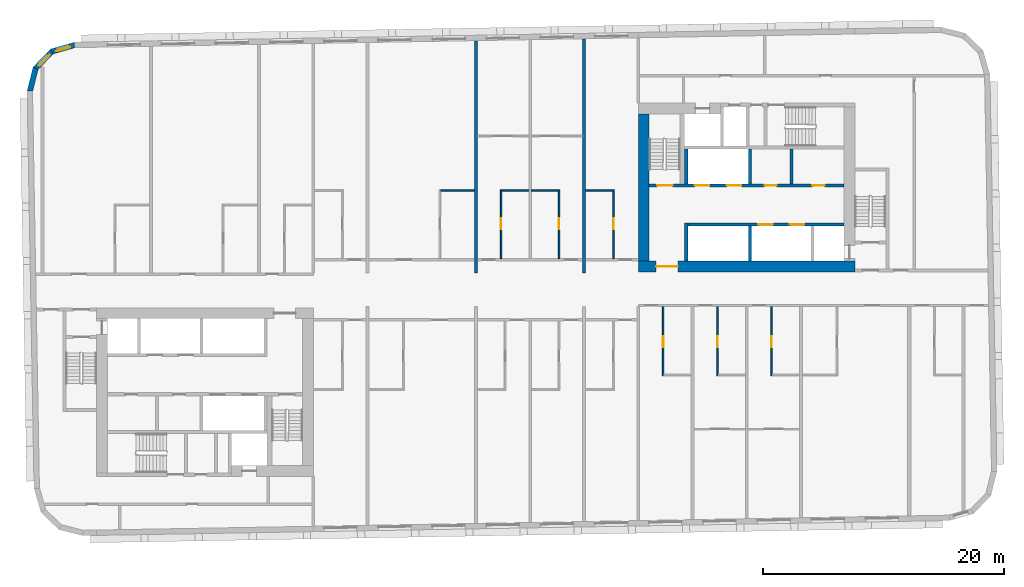
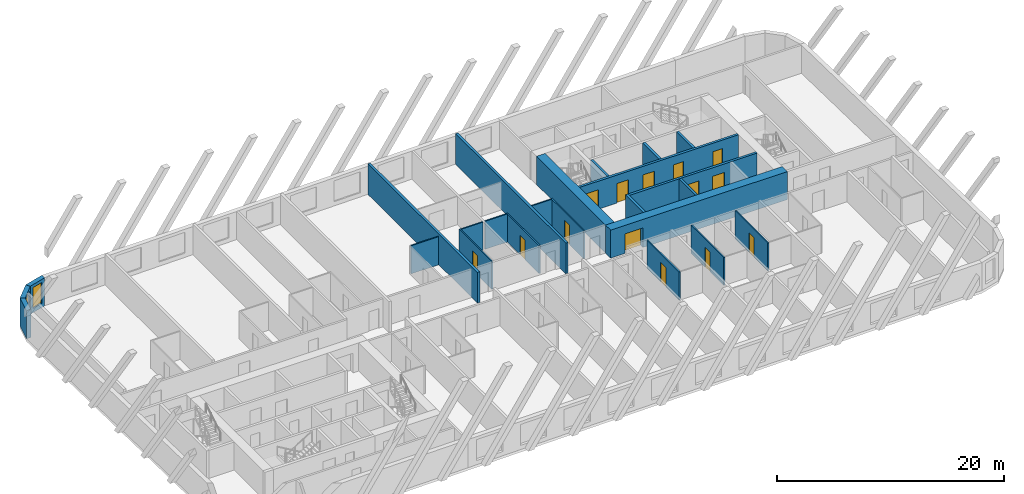
# One storey, part 5 of 12: 24 walls, 14 doors, 2 windows, 16 openings.
"""IFC4 building model written with IfcOpenShell, lengths in metres."""

from ifc_helpers import new_model, si_unit, direction, frame, frame_2d, origin, place, context, subcontext, project, spatial, polyline, rectangle, outline, extrude, material, layer, layer_set, type_object, element, fill, save


model = new_model("IFC4")

# Units and contexts
model_context = context("Model", 3, precision=1e-05, world=origin(), true_north=direction((0.0, 1.0)))
body_context = subcontext(model_context, "Body", "Model", "MODEL_VIEW")
ifc_project = project(units=[si_unit("LENGTHUNIT", "METRE"), si_unit("AREAUNIT", "SQUARE_METRE"), si_unit("VOLUMEUNIT", "CUBIC_METRE"), si_unit("PLANEANGLEUNIT", "RADIAN"), si_unit("MASSUNIT", "GRAM", prefix="KILO")], contexts=[model_context])

# Site, building, storey
site_placement = place(None, origin())
site = spatial("IfcSite", under=ifc_project, at=site_placement, CompositionType="ELEMENT")
building_placement = place(site_placement, origin())
building = spatial("IfcBuilding", under=site, at=building_placement, Name="Kajstack Hotel Tower", CompositionType="ELEMENT")
storey_placement = place(building_placement, frame((0.0, 0.0, 227.60009765625)))
storey = spatial("IfcBuildingStorey", under=building, at=storey_placement, Name="L55", CompositionType="ELEMENT", Elevation=227.60009765625)

# Wall, opening, door
ifc_material_1 = material(Name="Concrete C60/75", Category="concrete")
ifc_layer_1 = layer(ifc_material_1, 0.89990234375)
ifc_layer_set_1 = layer_set([ifc_layer_1], Name="Core wall 900")
wall_type_1 = type_object("IfcWallType", Name="Core wall 900", PredefinedType="SHEAR", material=ifc_layer_set_1)
wall_1_placement = place(storey_placement, frame((13.5, 1.949951171875, 0.0), z_axis=(0.0, 0.0, 1.0), x_axis=(1.0, 0.0, 0.0)))
wall_1 = element("IfcWall", 1, at=wall_1_placement, inside=storey, type_object=wall_type_1, Name="Core wall E RN", PredefinedType="SHEAR", context=body_context, shape_type="SweptSolid", body=[
    extrude(rectangle(XDim=18.0, YDim=0.89990234375, at=frame_2d((9.0, 0.0))), origin(), (0.0, 0.0, 1.0), 3.02001953125),
])
opening_1_placement = place(wall_1_placement, frame((1.47509765625, 0.0, 0.0)))
opening_1 = element("IfcOpeningElement", 2, at=opening_1_placement, cuts=wall_1, Name="Opening 55E07", PredefinedType="OPENING", context=body_context, shape_type="SweptSolid", body=[
    extrude(rectangle(XDim=1.800048828125, YDim=2.10009765625, at=frame_2d((0.89990234375, 1.050048828125))), frame((0.0, 0.4599609375, 0.0), z_axis=(0.0, -1.0, 0.0), x_axis=(1.0, 0.0, 0.0)), (0.0, 0.0, 1.0), 0.919921875),
])
ifc_material_2 = material(Name="Glazed steel frame, fire-rated glass", Category="steel")
door_type_1 = type_object("IfcDoorType", Name="Lobby double door 1800", OperationType="DOUBLE_DOOR_DOUBLE_SWING", PredefinedType="DOOR", material=ifc_material_2)
door_1_placement = place(opening_1_placement, origin())
door_1 = element("IfcDoor", 3, at=door_1_placement, inside=storey, type_object=door_type_1, Name="Door 55E07", OperationType="DOUBLE_DOOR_DOUBLE_SWING", OverallHeight=2.10009765625, OverallWidth=1.800048828125, PredefinedType="DOOR", context=body_context, shape_type="SweptSolid", body=[
    extrude(rectangle(XDim=1.800048828125, YDim=2.10009765625, at=frame_2d((0.89990234375, 1.050048828125))), frame((0.0, 0.02490234375, 0.0), z_axis=(0.0, -1.0, 0.0), x_axis=(1.0, 0.0, 0.0)), (0.0, 0.0, 1.0), 0.050048828125),
])
fill(opening_1, door_1)

# Wall
wall_2_placement = place(storey_placement, frame((13.949951171875, 2.39990234375, 0.0), z_axis=(0.0, 0.0, 1.0), x_axis=(0.0, 1.0, 0.0)))
element("IfcWall", 4, at=wall_2_placement, inside=storey, type_object=wall_type_1, Name="Core wall E RE", PredefinedType="SHEAR", context=body_context, shape_type="SweptSolid", body=[
    extrude(rectangle(XDim=12.2001953125, YDim=0.89990234375, at=frame_2d((6.10009765625, 0.0))), origin(), (0.0, 0.0, 1.0), 3.02001953125),
])

# Wall, opening, window
ifc_material_3 = material(Name="Terracotta-faced brick masonry", Category="masonry")
ifc_layer_2 = layer(ifc_material_3, 0.449951171875)
ifc_layer_set_2 = layer_set([ifc_layer_2], Name="EW-TERRA")
wall_type_2 = type_object("IfcWallType", Name="EW-TERRA", PredefinedType="SOLIDWALL", material=ifc_layer_set_2)
wall_3_placement = place(storey_placement, frame((-33.290283203125, 20.352294921875, 0.0), z_axis=(0.0, 0.0, 1.0), x_axis=(-0.961247584925, -0.275686562016, 0.0)))
wall_3 = element("IfcWall", 5, at=wall_3_placement, inside=storey, type_object=wall_type_2, Name="E-wall-L55-13-00", PredefinedType="SOLIDWALL", context=body_context, shape_type="SweptSolid", body=[
    extrude(outline(polyline([(0.0, -0.22509765625), (2.070556640625, -0.22509765625), (1.949951171875, 0.224853515625), (0.12060546875, 0.224853515625), (0.0, -0.22509765625)])), origin(), (0.0, 0.0, 1.0), 3.02001953125),
])
opening_2_placement = place(wall_3_placement, frame((0.435302734375, 0.0, 0.449951171875)))
opening_2 = element("IfcOpeningElement", 6, at=opening_2_placement, cuts=wall_3, Name="Opening W3", PredefinedType="OPENING", context=body_context, shape_type="SweptSolid", body=[
    extrude(rectangle(XDim=1.199951171875, YDim=2.25, at=frame_2d((0.60009765625, 1.125))), frame((0.0, 0.23486328125, 0.0), z_axis=(0.0, -1.0, 0.0), x_axis=(1.0, 0.0, 0.0)), (0.0, 0.0, 1.0), 0.469970703125),
])
ifc_material_4 = material(Name="Timber-aluminium window, triple glazed", Category="wood")
window_type = type_object("IfcWindowType", Name="WG3", PartitioningType="SINGLE_PANEL", PredefinedType="WINDOW", material=ifc_material_4)
window_1_placement = place(opening_2_placement, origin())
window_1 = element("IfcWindow", 7, at=window_1_placement, inside=storey, type_object=window_type, Name="Window W3 L55-13", OverallHeight=2.25, OverallWidth=1.199951171875, PartitioningType="SINGLE_PANEL", PredefinedType="WINDOW", context=body_context, shape_type="SweptSolid", body=[
    extrude(rectangle(XDim=1.199951171875, YDim=2.25, at=frame_2d((0.60009765625, 1.125))), frame((0.0, 0.090087890625, 0.0), z_axis=(0.0, -1.0, 0.0), x_axis=(1.0, 0.0, 0.0)), (0.0, 0.0, 1.0), 0.06005859375),
])
fill(opening_2, window_1)

wall_4_placement = place(storey_placement, frame((-35.1806640625, 19.841552734375, 0.0), z_axis=(0.0, 0.0, 1.0), x_axis=(-0.694678672846, -0.719320193998, 0.0)))
wall_4 = element("IfcWall", 8, at=wall_4_placement, inside=storey, type_object=wall_type_2, Name="E-wall-L55-14-00", PredefinedType="SOLIDWALL", context=body_context, shape_type="SweptSolid", body=[
    extrude(outline(polyline([(0.0, -0.22509765625), (2.07080078125, -0.22509765625), (1.9501953125, 0.224853515625), (0.12060546875, 0.224853515625), (0.0, -0.22509765625)])), origin(), (0.0, 0.0, 1.0), 3.02001953125),
])
opening_3_placement = place(wall_4_placement, frame((0.435302734375, 0.0, 0.449951171875)))
opening_3 = element("IfcOpeningElement", 9, at=opening_3_placement, cuts=wall_4, Name="Opening W3", PredefinedType="OPENING", context=body_context, shape_type="SweptSolid", body=[
    extrude(rectangle(XDim=1.199951171875, YDim=2.25, at=frame_2d((0.60009765625, 1.125))), frame((0.0, 0.23486328125, 0.0), z_axis=(0.0, -1.0, 0.0), x_axis=(1.0, 0.0, 0.0)), (0.0, 0.0, 1.0), 0.469970703125),
])
window_2_placement = place(opening_3_placement, origin())
window_2 = element("IfcWindow", 10, at=window_2_placement, inside=storey, type_object=window_type, Name="Window W3 L55-14", OverallHeight=2.25, OverallWidth=1.199951171875, PartitioningType="SINGLE_PANEL", PredefinedType="WINDOW", context=body_context, shape_type="SweptSolid", body=[
    extrude(rectangle(XDim=1.199951171875, YDim=2.25, at=frame_2d((0.60009765625, 1.125))), frame((0.0, 0.090087890625, 0.0), z_axis=(0.0, -1.0, 0.0), x_axis=(1.0, 0.0, 0.0)), (0.0, 0.0, 1.0), 0.06005859375),
])
fill(opening_3, window_2)

# Walls
wall_5_placement = place(storey_placement, frame((-36.562744140625, 18.453857421875, 0.0), z_axis=(0.0, 0.0, 1.0), x_axis=(-0.241869623482, -0.970308757683, 0.0)))
element("IfcWall", 11, at=wall_5_placement, inside=storey, type_object=wall_type_2, Name="E-wall-L55-15-00", PredefinedType="SOLIDWALL", context=body_context, shape_type="SweptSolid", body=[
    extrude(outline(polyline([(-0.000244140625, -0.224853515625), (2.0703125, -0.22509765625), (1.94970703125, 0.224853515625), (0.120361328125, 0.22509765625), (-0.000244140625, -0.224853515625)])), origin(), (0.0, 0.0, 1.0), 3.02001953125),
])
ifc_material_5 = material(Name="Gypsum board and tiled backer on steel studs", Category="steel")
ifc_layer_3 = layer(ifc_material_5, 0.125)
ifc_layer_set_3 = layer_set([ifc_layer_3], Name="En-suite wall 125")
wall_type_3 = type_object("IfcWallType", Name="En-suite wall 125", PredefinedType="PARTITIONING", material=ifc_layer_set_3)
wall_6_placement = place(storey_placement, frame((-2.925048828125, 8.261962890625, 0.0), z_axis=(0.0, 0.0, 1.0), x_axis=(1.0, 0.0, 0.0)))
element("IfcWall", 12, at=wall_6_placement, inside=storey, type_object=wall_type_3, Name="G-wall-L55-015", PredefinedType="PARTITIONING", context=body_context, shape_type="SweptSolid", body=[
    extrude(rectangle(XDim=2.800048828125, YDim=0.125, at=frame_2d((1.39990234375, 0.0))), origin(), (0.0, 0.0, 1.0), 3.02001953125),
])

# Wall, opening, door
wall_7_placement = place(storey_placement, frame((2.0869140625, 2.60009765625, 0.0), z_axis=(0.0, 0.0, 1.0), x_axis=(0.0, 1.0, 0.0)))
wall_7 = element("IfcWall", 13, at=wall_7_placement, inside=storey, type_object=wall_type_3, Name="G-wall-L55-017", PredefinedType="PARTITIONING", context=body_context, shape_type="SweptSolid", body=[
    extrude(rectangle(XDim=5.724853515625, YDim=0.125, at=frame_2d((2.8623046875, 0.0))), origin(), (0.0, 0.0, 1.0), 3.02001953125),
])
opening_4_placement = place(wall_7_placement, frame((2.449951171875, 0.0, 0.0)))
opening_4 = element("IfcOpeningElement", 14, at=opening_4_placement, cuts=wall_7, Name="Opening 55012", PredefinedType="OPENING", context=body_context, shape_type="SweptSolid", body=[
    extrude(rectangle(XDim=0.89990234375, YDim=2.10009765625, at=frame_2d((0.449951171875, 1.050048828125))), frame((0.0, 0.072509765625, 0.0), z_axis=(0.0, -1.0, 0.0), x_axis=(1.0, 0.0, 0.0)), (0.0, 0.0, 1.0), 0.14501953125),
])
ifc_material_6 = material(Name="Painted timber door leaf", Category="wood")
door_type_2 = type_object("IfcDoorType", Name="Room door 900", OperationType="SINGLE_SWING_LEFT", PredefinedType="DOOR", material=ifc_material_6)
door_2_placement = place(opening_4_placement, origin())
door_2 = element("IfcDoor", 15, at=door_2_placement, inside=storey, type_object=door_type_2, Name="G-door-L55-12", OperationType="SINGLE_SWING_RIGHT", OverallHeight=2.10009765625, OverallWidth=0.89990234375, PredefinedType="DOOR", context=body_context, shape_type="SweptSolid", body=[
    extrude(rectangle(XDim=0.89990234375, YDim=2.10009765625, at=frame_2d((0.449951171875, 1.050048828125))), frame((0.0, 0.02490234375, 0.0), z_axis=(0.0, -1.0, 0.0), x_axis=(1.0, 0.0, 0.0)), (0.0, 0.0, 1.0), 0.050048828125),
])
fill(opening_4, door_2)

# Wall
wall_8_placement = place(storey_placement, frame((2.14990234375, 8.261962890625, 0.0), z_axis=(0.0, 0.0, 1.0), x_axis=(1.0, 0.0, 0.0)))
element("IfcWall", 16, at=wall_8_placement, inside=storey, type_object=wall_type_3, Name="G-wall-L55-018", PredefinedType="PARTITIONING", context=body_context, shape_type="SweptSolid", body=[
    extrude(rectangle(XDim=2.25, YDim=0.125, at=frame_2d((1.125, 0.0))), origin(), (0.0, 0.0, 1.0), 3.02001953125),
])

# Wall, opening, door
wall_9_placement = place(storey_placement, frame((6.912109375, 2.60009765625, 0.0), z_axis=(0.0, 0.0, 1.0), x_axis=(0.0, 1.0, 0.0)))
wall_9 = element("IfcWall", 17, at=wall_9_placement, inside=storey, type_object=wall_type_3, Name="G-wall-L55-020", PredefinedType="PARTITIONING", context=body_context, shape_type="SweptSolid", body=[
    extrude(rectangle(XDim=5.724853515625, YDim=0.125, at=frame_2d((2.8623046875, 0.0))), origin(), (0.0, 0.0, 1.0), 3.02001953125),
])
opening_5_placement = place(wall_9_placement, frame((2.449951171875, 0.0, 0.0)))
opening_5 = element("IfcOpeningElement", 18, at=opening_5_placement, cuts=wall_9, Name="Opening 55015", PredefinedType="OPENING", context=body_context, shape_type="SweptSolid", body=[
    extrude(rectangle(XDim=0.89990234375, YDim=2.10009765625, at=frame_2d((0.449951171875, 1.050048828125))), frame((0.0, 0.072509765625, 0.0), z_axis=(0.0, -1.0, 0.0), x_axis=(1.0, 0.0, 0.0)), (0.0, 0.0, 1.0), 0.14501953125),
])
door_3_placement = place(opening_5_placement, origin())
door_3 = element("IfcDoor", 19, at=door_3_placement, inside=storey, type_object=door_type_2, Name="G-door-L55-15", OperationType="SINGLE_SWING_RIGHT", OverallHeight=2.10009765625, OverallWidth=0.89990234375, PredefinedType="DOOR", context=body_context, shape_type="SweptSolid", body=[
    extrude(rectangle(XDim=0.89990234375, YDim=2.10009765625, at=frame_2d((0.449951171875, 1.050048828125))), frame((0.0, 0.02490234375, 0.0), z_axis=(0.0, -1.0, 0.0), x_axis=(1.0, 0.0, 0.0)), (0.0, 0.0, 1.0), 0.050048828125),
])
fill(opening_5, door_3)

# Wall
wall_10_placement = place(storey_placement, frame((4.60009765625, 8.261962890625, 0.0), z_axis=(0.0, 0.0, 1.0), x_axis=(1.0, 0.0, 0.0)))
element("IfcWall", 20, at=wall_10_placement, inside=storey, type_object=wall_type_3, Name="G-wall-L55-021", PredefinedType="PARTITIONING", context=body_context, shape_type="SweptSolid", body=[
    extrude(rectangle(XDim=2.25, YDim=0.125, at=frame_2d((1.125, 0.0))), origin(), (0.0, 0.0, 1.0), 3.02001953125),
])

# Wall, opening, door
wall_11_placement = place(storey_placement, frame((11.43798828125, 2.60009765625, 0.0), z_axis=(0.0, 0.0, 1.0), x_axis=(0.0, 1.0, 0.0)))
wall_11 = element("IfcWall", 21, at=wall_11_placement, inside=storey, type_object=wall_type_3, Name="G-wall-L55-023", PredefinedType="PARTITIONING", context=body_context, shape_type="SweptSolid", body=[
    extrude(rectangle(XDim=5.724853515625, YDim=0.125, at=frame_2d((2.8623046875, 0.0))), origin(), (0.0, 0.0, 1.0), 3.02001953125),
])
opening_6_placement = place(wall_11_placement, frame((2.449951171875, 0.0, 0.0)))
opening_6 = element("IfcOpeningElement", 22, at=opening_6_placement, cuts=wall_11, Name="Opening 55018", PredefinedType="OPENING", context=body_context, shape_type="SweptSolid", body=[
    extrude(rectangle(XDim=0.89990234375, YDim=2.10009765625, at=frame_2d((0.449951171875, 1.050048828125))), frame((0.0, 0.072509765625, 0.0), z_axis=(0.0, -1.0, 0.0), x_axis=(1.0, 0.0, 0.0)), (0.0, 0.0, 1.0), 0.14501953125),
])
door_4_placement = place(opening_6_placement, origin())
door_4 = element("IfcDoor", 23, at=door_4_placement, inside=storey, type_object=door_type_2, Name="G-door-L55-18", OperationType="SINGLE_SWING_LEFT", OverallHeight=2.10009765625, OverallWidth=0.89990234375, PredefinedType="DOOR", context=body_context, shape_type="SweptSolid", body=[
    extrude(rectangle(XDim=0.89990234375, YDim=2.10009765625, at=frame_2d((0.449951171875, 1.050048828125))), frame((0.0, 0.02490234375, 0.0), z_axis=(0.0, -1.0, 0.0), x_axis=(1.0, 0.0, 0.0)), (0.0, 0.0, 1.0), 0.050048828125),
])
fill(opening_6, door_4)

# Wall
wall_12_placement = place(storey_placement, frame((9.125, 8.261962890625, 0.0), z_axis=(0.0, 0.0, 1.0), x_axis=(1.0, 0.0, 0.0)))
element("IfcWall", 24, at=wall_12_placement, inside=storey, type_object=wall_type_3, Name="G-wall-L55-024", PredefinedType="PARTITIONING", context=body_context, shape_type="SweptSolid", body=[
    extrude(rectangle(XDim=2.25, YDim=0.125, at=frame_2d((1.125, 0.0))), origin(), (0.0, 0.0, 1.0), 3.02001953125),
])

# Wall, opening, door
wall_13_placement = place(storey_placement, frame((15.56201171875, -7.125, 0.0), z_axis=(0.0, 0.0, 1.0), x_axis=(0.0, 1.0, 0.0)))
wall_13 = element("IfcWall", 25, at=wall_13_placement, inside=storey, type_object=wall_type_3, Name="G-wall-L55-039", PredefinedType="PARTITIONING", context=body_context, shape_type="SweptSolid", body=[
    extrude(rectangle(XDim=5.72509765625, YDim=0.125, at=frame_2d((2.862548828125, 0.0))), origin(), (0.0, 0.0, 1.0), 3.02001953125),
])
opening_7_placement = place(wall_13_placement, frame((2.375, 0.0, 0.0)))
opening_7 = element("IfcOpeningElement", 26, at=opening_7_placement, cuts=wall_13, Name="Opening 55030", PredefinedType="OPENING", context=body_context, shape_type="SweptSolid", body=[
    extrude(rectangle(XDim=0.89990234375, YDim=2.10009765625, at=frame_2d((0.449951171875, 1.050048828125))), frame((0.0, 0.072509765625, 0.0), z_axis=(0.0, -1.0, 0.0), x_axis=(1.0, 0.0, 0.0)), (0.0, 0.0, 1.0), 0.14501953125),
])
door_5_placement = place(opening_7_placement, origin())
door_5 = element("IfcDoor", 27, at=door_5_placement, inside=storey, type_object=door_type_2, Name="G-door-L55-30", OperationType="SINGLE_SWING_RIGHT", OverallHeight=2.10009765625, OverallWidth=0.89990234375, PredefinedType="DOOR", context=body_context, shape_type="SweptSolid", body=[
    extrude(rectangle(XDim=0.89990234375, YDim=2.10009765625, at=frame_2d((0.449951171875, 1.050048828125))), frame((0.0, 0.02490234375, 0.0), z_axis=(0.0, -1.0, 0.0), x_axis=(1.0, 0.0, 0.0)), (0.0, 0.0, 1.0), 0.050048828125),
])
fill(opening_7, door_5)

wall_14_placement = place(storey_placement, frame((20.0869140625, -7.125, 0.0), z_axis=(0.0, 0.0, 1.0), x_axis=(0.0, 1.0, 0.0)))
wall_14 = element("IfcWall", 28, at=wall_14_placement, inside=storey, type_object=wall_type_3, Name="G-wall-L55-042", PredefinedType="PARTITIONING", context=body_context, shape_type="SweptSolid", body=[
    extrude(rectangle(XDim=5.72509765625, YDim=0.125, at=frame_2d((2.862548828125, 0.0))), origin(), (0.0, 0.0, 1.0), 3.02001953125),
])
opening_8_placement = place(wall_14_placement, frame((2.375, 0.0, 0.0)))
opening_8 = element("IfcOpeningElement", 29, at=opening_8_placement, cuts=wall_14, Name="Opening 55032", PredefinedType="OPENING", context=body_context, shape_type="SweptSolid", body=[
    extrude(rectangle(XDim=0.89990234375, YDim=2.10009765625, at=frame_2d((0.449951171875, 1.050048828125))), frame((0.0, 0.072509765625, 0.0), z_axis=(0.0, -1.0, 0.0), x_axis=(1.0, 0.0, 0.0)), (0.0, 0.0, 1.0), 0.14501953125),
])
door_6_placement = place(opening_8_placement, origin())
door_6 = element("IfcDoor", 30, at=door_6_placement, inside=storey, type_object=door_type_2, Name="G-door-L55-32", OperationType="SINGLE_SWING_RIGHT", OverallHeight=2.10009765625, OverallWidth=0.89990234375, PredefinedType="DOOR", context=body_context, shape_type="SweptSolid", body=[
    extrude(rectangle(XDim=0.89990234375, YDim=2.10009765625, at=frame_2d((0.449951171875, 1.050048828125))), frame((0.0, 0.02490234375, 0.0), z_axis=(0.0, -1.0, 0.0), x_axis=(1.0, 0.0, 0.0)), (0.0, 0.0, 1.0), 0.050048828125),
])
fill(opening_8, door_6)

wall_15_placement = place(storey_placement, frame((24.56201171875, -7.125, 0.0), z_axis=(0.0, 0.0, 1.0), x_axis=(0.0, 1.0, 0.0)))
wall_15 = element("IfcWall", 31, at=wall_15_placement, inside=storey, type_object=wall_type_3, Name="G-wall-L55-045", PredefinedType="PARTITIONING", context=body_context, shape_type="SweptSolid", body=[
    extrude(rectangle(XDim=5.72509765625, YDim=0.125, at=frame_2d((2.862548828125, 0.0))), origin(), (0.0, 0.0, 1.0), 3.02001953125),
])
opening_9_placement = place(wall_15_placement, frame((2.375, 0.0, 0.0)))
opening_9 = element("IfcOpeningElement", 32, at=opening_9_placement, cuts=wall_15, Name="Opening 55035", PredefinedType="OPENING", context=body_context, shape_type="SweptSolid", body=[
    extrude(rectangle(XDim=0.89990234375, YDim=2.10009765625, at=frame_2d((0.449951171875, 1.050048828125))), frame((0.0, 0.072509765625, 0.0), z_axis=(0.0, -1.0, 0.0), x_axis=(1.0, 0.0, 0.0)), (0.0, 0.0, 1.0), 0.14501953125),
])
door_7_placement = place(opening_9_placement, origin())
door_7 = element("IfcDoor", 33, at=door_7_placement, inside=storey, type_object=door_type_2, Name="G-door-L55-35", OperationType="SINGLE_SWING_LEFT", OverallHeight=2.10009765625, OverallWidth=0.89990234375, PredefinedType="DOOR", context=body_context, shape_type="SweptSolid", body=[
    extrude(rectangle(XDim=0.89990234375, YDim=2.10009765625, at=frame_2d((0.449951171875, 1.050048828125))), frame((0.0, 0.02490234375, 0.0), z_axis=(0.0, -1.0, 0.0), x_axis=(1.0, 0.0, 0.0)), (0.0, 0.0, 1.0), 0.050048828125),
])
fill(opening_9, door_7)

# Walls
ifc_material_7 = material(Name="Concrete C50/60", Category="concrete")
ifc_layer_4 = layer(ifc_material_7, 0.300048828125)
ifc_layer_set_4 = layer_set([ifc_layer_4], Name="Hoistway divider wall 300")
wall_type_4 = type_object("IfcWallType", Name="Hoistway divider wall 300", PredefinedType="SHEAR", material=ifc_layer_set_4)
wall_16_placement = place(storey_placement, frame((22.77490234375, 2.39990234375, 0.0), z_axis=(0.0, 0.0, 1.0), x_axis=(0.0, 1.0, 0.0)))
element("IfcWall", 34, at=wall_16_placement, inside=storey, type_object=wall_type_4, Name="Core wall E AP2", PredefinedType="SHEAR", context=body_context, shape_type="SweptSolid", body=[
    extrude(rectangle(XDim=2.900146484375, YDim=0.25, at=frame_2d((1.4501953125, 0.0))), origin(), (0.0, 0.0, 1.0), 3.02001953125),
])
wall_17_placement = place(storey_placement, frame((22.77490234375, 8.800048828125, 0.0), z_axis=(0.0, 0.0, 1.0), x_axis=(0.0, 1.0, 0.0)))
element("IfcWall", 35, at=wall_17_placement, inside=storey, type_object=wall_type_4, Name="Core wall E BP2", PredefinedType="SHEAR", context=body_context, shape_type="SweptSolid", body=[
    extrude(rectangle(XDim=2.89990234375, YDim=0.25, at=frame_2d((1.449951171875, 0.0))), origin(), (0.0, 0.0, 1.0), 3.02001953125),
])
ifc_material_8 = material(Name="Concrete C45/55", Category="concrete")
ifc_layer_5 = layer(ifc_material_8, 0.25)
ifc_layer_set_5 = layer_set([ifc_layer_5], Name="RC cross wall 250 C45/55")
wall_type_5 = type_object("IfcWallType", Name="RC cross wall 250 C45/55", PredefinedType="SHEAR", material=ifc_layer_set_5)
wall_18_placement = place(storey_placement, frame((0.0, 1.39990234375, 0.0), z_axis=(0.0, 0.0, 1.0), x_axis=(0.0, 1.0, 0.0)))
element("IfcWall", 36, at=wall_18_placement, inside=storey, type_object=wall_type_5, Name="S-wall-L55-07", PredefinedType="SHEAR", context=body_context, shape_type="SweptSolid", body=[
    extrude(rectangle(XDim=19.28857421875, YDim=0.25, at=frame_2d((9.644287109375, 0.0))), origin(), (0.0, 0.0, 1.0), 3.2998046875),
])
wall_19_placement = place(storey_placement, frame((9.0, 1.39990234375, 0.0), z_axis=(0.0, 0.0, 1.0), x_axis=(0.0, 1.0, 0.0)))
element("IfcWall", 37, at=wall_19_placement, inside=storey, type_object=wall_type_5, Name="S-wall-L55-09", PredefinedType="SHEAR", context=body_context, shape_type="SweptSolid", body=[
    extrude(rectangle(XDim=19.44580078125, YDim=0.25, at=frame_2d((9.722900390625, 0.0))), origin(), (0.0, 0.0, 1.0), 3.2998046875),
])
ifc_material_9 = material(Name="Concrete block masonry", Category="masonry")
ifc_layer_6 = layer(ifc_material_9, 0.25)
ifc_layer_set_6 = layer_set([ifc_layer_6], Name="Riser partition 250")
wall_type_6 = type_object("IfcWallType", Name="Riser partition 250", PredefinedType="PARTITIONING", material=ifc_layer_set_6)
wall_20_placement = place(storey_placement, frame((26.199951171875, 8.800048828125, 0.0), z_axis=(0.0, 0.0, 1.0), x_axis=(0.0, 1.0, 0.0)))
element("IfcWall", 38, at=wall_20_placement, inside=storey, type_object=wall_type_6, Name="Partition E BF0", PredefinedType="PARTITIONING", context=body_context, shape_type="SweptSolid", body=[
    extrude(rectangle(XDim=2.89990234375, YDim=0.25, at=frame_2d((1.449951171875, 0.0))), origin(), (0.0, 0.0, 1.0), 3.02001953125),
])

# Wall, openings, doors
ifc_layer_7 = layer(ifc_material_7, 0.25)
ifc_layer_set_7 = layer_set([ifc_layer_7], Name="Shaft wall 250")
wall_type_7 = type_object("IfcWallType", Name="Shaft wall 250", PredefinedType="SHEAR", material=ifc_layer_set_7)
wall_21_placement = place(storey_placement, frame((17.60009765625, 5.425048828125, 0.0), z_axis=(0.0, 0.0, 1.0), x_axis=(1.0, 0.0, 0.0)))
wall_21 = element("IfcWall", 39, at=wall_21_placement, inside=storey, type_object=wall_type_7, Name="Core wall E FA", PredefinedType="SHEAR", context=body_context, shape_type="SweptSolid", body=[
    extrude(rectangle(XDim=13.0, YDim=0.25, at=frame_2d((6.5, 0.0))), origin(), (0.0, 0.0, 1.0), 3.02001953125),
])
opening_10_placement = place(wall_21_placement, frame((8.47509765625, 0.0, 0.0)))
opening_10 = element("IfcOpeningElement", 40, at=opening_10_placement, cuts=wall_21, Name="Opening LD-MR7", PredefinedType="OPENING", context=body_context, shape_type="SweptSolid", body=[
    extrude(rectangle(XDim=1.199951171875, YDim=2.10009765625, at=frame_2d((0.60009765625, 1.050048828125))), frame((0.0, 0.135009765625, 0.0), z_axis=(0.0, -1.0, 0.0), x_axis=(1.0, 0.0, 0.0)), (0.0, 0.0, 1.0), 0.27001953125),
])
opening_11_placement = place(wall_21_placement, frame((5.875, 0.0, 0.0)))
opening_11 = element("IfcOpeningElement", 41, at=opening_11_placement, cuts=wall_21, Name="Opening LD-MR8", PredefinedType="OPENING", context=body_context, shape_type="SweptSolid", body=[
    extrude(rectangle(XDim=1.199951171875, YDim=2.10009765625, at=frame_2d((0.60009765625, 1.050048828125))), frame((0.0, 0.135009765625, 0.0), z_axis=(0.0, -1.0, 0.0), x_axis=(1.0, 0.0, 0.0)), (0.0, 0.0, 1.0), 0.27001953125),
])
ifc_material_10 = material(Name="Stainless steel", Category="steel")
door_type_3 = type_object("IfcDoorType", Name="Lift landing door 1200", OperationType="SLIDING_TO_LEFT", PredefinedType="DOOR", material=ifc_material_10)
door_8_placement = place(opening_10_placement, origin())
door_8 = element("IfcDoor", 42, at=door_8_placement, inside=storey, type_object=door_type_3, Name="Landing door MR7", OperationType="SLIDING_TO_LEFT", OverallHeight=2.10009765625, OverallWidth=1.199951171875, PredefinedType="DOOR", context=body_context, shape_type="SweptSolid", body=[
    extrude(rectangle(XDim=1.199951171875, YDim=2.10009765625, at=frame_2d((0.60009765625, 1.050048828125))), frame((0.0, 0.02490234375, 0.0), z_axis=(0.0, -1.0, 0.0), x_axis=(1.0, 0.0, 0.0)), (0.0, 0.0, 1.0), 0.050048828125),
])
fill(opening_10, door_8)
door_9_placement = place(opening_11_placement, origin())
door_9 = element("IfcDoor", 43, at=door_9_placement, inside=storey, type_object=door_type_3, Name="Landing door MR8", OperationType="SLIDING_TO_RIGHT", OverallHeight=2.10009765625, OverallWidth=1.199951171875, PredefinedType="DOOR", context=body_context, shape_type="SweptSolid", body=[
    extrude(rectangle(XDim=1.199951171875, YDim=2.10009765625, at=frame_2d((0.60009765625, 1.050048828125))), frame((0.0, 0.02490234375, 0.0), z_axis=(0.0, -1.0, 0.0), x_axis=(1.0, 0.0, 0.0)), (0.0, 0.0, 1.0), 0.050048828125),
])
fill(opening_11, door_9)

# Wall
wall_22_placement = place(storey_placement, frame((17.47509765625, 2.39990234375, 0.0), z_axis=(0.0, 0.0, 1.0), x_axis=(0.0, 1.0, 0.0)))
element("IfcWall", 44, at=wall_22_placement, inside=storey, type_object=wall_type_7, Name="Core wall E AE", PredefinedType="SHEAR", context=body_context, shape_type="SweptSolid", body=[
    extrude(rectangle(XDim=3.150146484375, YDim=0.25, at=frame_2d((1.5751953125, 0.0))), origin(), (0.0, 0.0, 1.0), 3.02001953125),
])

# Wall, openings, doors
wall_23_placement = place(storey_placement, frame((14.39990234375, 8.675048828125, 0.0), z_axis=(0.0, 0.0, 1.0), x_axis=(1.0, 0.0, 0.0)))
wall_23 = element("IfcWall", 45, at=wall_23_placement, inside=storey, type_object=wall_type_7, Name="Core wall E FB", PredefinedType="SHEAR", context=body_context, shape_type="SweptSolid", body=[
    extrude(rectangle(XDim=16.2001953125, YDim=0.25, at=frame_2d((8.10009765625, 0.0))), origin(), (0.0, 0.0, 1.0), 3.02001953125),
])
opening_12_placement = place(wall_23_placement, frame((6.449951171875, 0.0, 0.0)))
opening_12 = element("IfcOpeningElement", 46, at=opening_12_placement, cuts=wall_23, Name="Opening LD-MR5", PredefinedType="OPENING", context=body_context, shape_type="SweptSolid", body=[
    extrude(rectangle(XDim=1.199951171875, YDim=2.10009765625, at=frame_2d((0.60009765625, 1.050048828125))), frame((0.0, 0.135009765625, 0.0), z_axis=(0.0, -1.0, 0.0), x_axis=(1.0, 0.0, 0.0)), (0.0, 0.0, 1.0), 0.27001953125),
])
opening_13_placement = place(wall_23_placement, frame((3.800048828125, 0.0, 0.0)))
opening_13 = element("IfcOpeningElement", 47, at=opening_13_placement, cuts=wall_23, Name="Opening LD-MR6", PredefinedType="OPENING", context=body_context, shape_type="SweptSolid", body=[
    extrude(rectangle(XDim=1.199951171875, YDim=2.10009765625, at=frame_2d((0.60009765625, 1.050048828125))), frame((0.0, 0.135009765625, 0.0), z_axis=(0.0, -1.0, 0.0), x_axis=(1.0, 0.0, 0.0)), (0.0, 0.0, 1.0), 0.27001953125),
])
opening_14_placement = place(wall_23_placement, frame((0.64990234375, 0.0, 0.0)))
opening_14 = element("IfcOpeningElement", 48, at=opening_14_placement, cuts=wall_23, Name="Opening 55E11", PredefinedType="OPENING", context=body_context, shape_type="SweptSolid", body=[
    extrude(rectangle(XDim=1.300048828125, YDim=2.10009765625, at=frame_2d((0.64990234375, 1.050048828125))), frame((0.0, 0.135009765625, 0.0), z_axis=(0.0, -1.0, 0.0), x_axis=(1.0, 0.0, 0.0)), (0.0, 0.0, 1.0), 0.27001953125),
])
opening_15_placement = place(wall_23_placement, frame((13.5625, 0.0, 0.0)))
opening_15 = element("IfcOpeningElement", 49, at=opening_15_placement, cuts=wall_23, Name="Opening 55E15", PredefinedType="OPENING", context=body_context, shape_type="SweptSolid", body=[
    extrude(rectangle(XDim=1.0, YDim=2.10009765625, at=frame_2d((0.5, 1.050048828125))), frame((0.0, 0.135009765625, 0.0), z_axis=(0.0, -1.0, 0.0), x_axis=(1.0, 0.0, 0.0)), (0.0, 0.0, 1.0), 0.27001953125),
])
opening_16_placement = place(wall_23_placement, frame((9.58740234375, 0.0, 0.0)))
opening_16 = element("IfcOpeningElement", 50, at=opening_16_placement, cuts=wall_23, Name="Opening 55E16", PredefinedType="OPENING", context=body_context, shape_type="SweptSolid", body=[
    extrude(rectangle(XDim=1.0, YDim=2.10009765625, at=frame_2d((0.5, 1.050048828125))), frame((0.0, 0.135009765625, 0.0), z_axis=(0.0, -1.0, 0.0), x_axis=(1.0, 0.0, 0.0)), (0.0, 0.0, 1.0), 0.27001953125),
])
door_10_placement = place(opening_12_placement, origin())
door_10 = element("IfcDoor", 51, at=door_10_placement, inside=storey, type_object=door_type_3, Name="Landing door MR5", OperationType="SLIDING_TO_LEFT", OverallHeight=2.10009765625, OverallWidth=1.199951171875, PredefinedType="DOOR", context=body_context, shape_type="SweptSolid", body=[
    extrude(rectangle(XDim=1.199951171875, YDim=2.10009765625, at=frame_2d((0.60009765625, 1.050048828125))), frame((0.0, 0.02490234375, 0.0), z_axis=(0.0, -1.0, 0.0), x_axis=(1.0, 0.0, 0.0)), (0.0, 0.0, 1.0), 0.050048828125),
])
fill(opening_12, door_10)
door_11_placement = place(opening_13_placement, origin())
door_11 = element("IfcDoor", 52, at=door_11_placement, inside=storey, type_object=door_type_3, Name="Landing door MR6", OperationType="SLIDING_TO_RIGHT", OverallHeight=2.10009765625, OverallWidth=1.199951171875, PredefinedType="DOOR", context=body_context, shape_type="SweptSolid", body=[
    extrude(rectangle(XDim=1.199951171875, YDim=2.10009765625, at=frame_2d((0.60009765625, 1.050048828125))), frame((0.0, 0.02490234375, 0.0), z_axis=(0.0, -1.0, 0.0), x_axis=(1.0, 0.0, 0.0)), (0.0, 0.0, 1.0), 0.050048828125),
])
fill(opening_13, door_11)
ifc_material_11 = material(Name="Timber leaf, fire-rated", Category="wood")
door_type_4 = type_object("IfcDoorType", Name="Service room door 1000", OperationType="SINGLE_SWING_LEFT", PredefinedType="DOOR", material=ifc_material_11)
door_12_placement = place(opening_15_placement, origin())
door_12 = element("IfcDoor", 53, at=door_12_placement, inside=storey, type_object=door_type_4, Name="Door 55E15", OperationType="SINGLE_SWING_LEFT", OverallHeight=2.10009765625, OverallWidth=1.0, PredefinedType="DOOR", context=body_context, shape_type="SweptSolid", body=[
    extrude(rectangle(XDim=1.0, YDim=2.10009765625, at=frame_2d((0.5, 1.050048828125))), frame((0.0, 0.02490234375, 0.0), z_axis=(0.0, -1.0, 0.0), x_axis=(1.0, 0.0, 0.0)), (0.0, 0.0, 1.0), 0.050048828125),
])
fill(opening_15, door_12)
door_13_placement = place(opening_16_placement, origin())
door_13 = element("IfcDoor", 54, at=door_13_placement, inside=storey, type_object=door_type_4, Name="Door 55E16", OperationType="SINGLE_SWING_LEFT", OverallHeight=2.10009765625, OverallWidth=1.0, PredefinedType="DOOR", context=body_context, shape_type="SweptSolid", body=[
    extrude(rectangle(XDim=1.0, YDim=2.10009765625, at=frame_2d((0.5, 1.050048828125))), frame((0.0, 0.02490234375, 0.0), z_axis=(0.0, -1.0, 0.0), x_axis=(1.0, 0.0, 0.0)), (0.0, 0.0, 1.0), 0.050048828125),
])
fill(opening_16, door_13)
ifc_material_12 = material(Name="Steel leaf, fire-rated", Category="steel")
door_type_5 = type_object("IfcDoorType", Name="Stair door 1300", OperationType="SINGLE_SWING_LEFT", PredefinedType="DOOR", material=ifc_material_12)
door_14_placement = place(opening_14_placement, origin())
door_14 = element("IfcDoor", 55, at=door_14_placement, inside=storey, type_object=door_type_5, Name="Door 55E11", OperationType="SINGLE_SWING_LEFT", OverallHeight=2.10009765625, OverallWidth=1.300048828125, PredefinedType="DOOR", context=body_context, shape_type="SweptSolid", body=[
    extrude(rectangle(XDim=1.300048828125, YDim=2.10009765625, at=frame_2d((0.64990234375, 1.050048828125))), frame((0.0, 0.02490234375, 0.0), z_axis=(0.0, -1.0, 0.0), x_axis=(1.0, 0.0, 0.0)), (0.0, 0.0, 1.0), 0.050048828125),
])
fill(opening_14, door_14)

# Wall
wall_24_placement = place(storey_placement, frame((17.47509765625, 8.800048828125, 0.0), z_axis=(0.0, 0.0, 1.0), x_axis=(0.0, 1.0, 0.0)))
element("IfcWall", 56, at=wall_24_placement, inside=storey, type_object=wall_type_7, Name="Core wall E BE", PredefinedType="SHEAR", context=body_context, shape_type="SweptSolid", body=[
    extrude(rectangle(XDim=2.89990234375, YDim=0.25, at=frame_2d((1.449951171875, 0.0))), origin(), (0.0, 0.0, 1.0), 3.02001953125),
])

save(model, "model.ifc")
